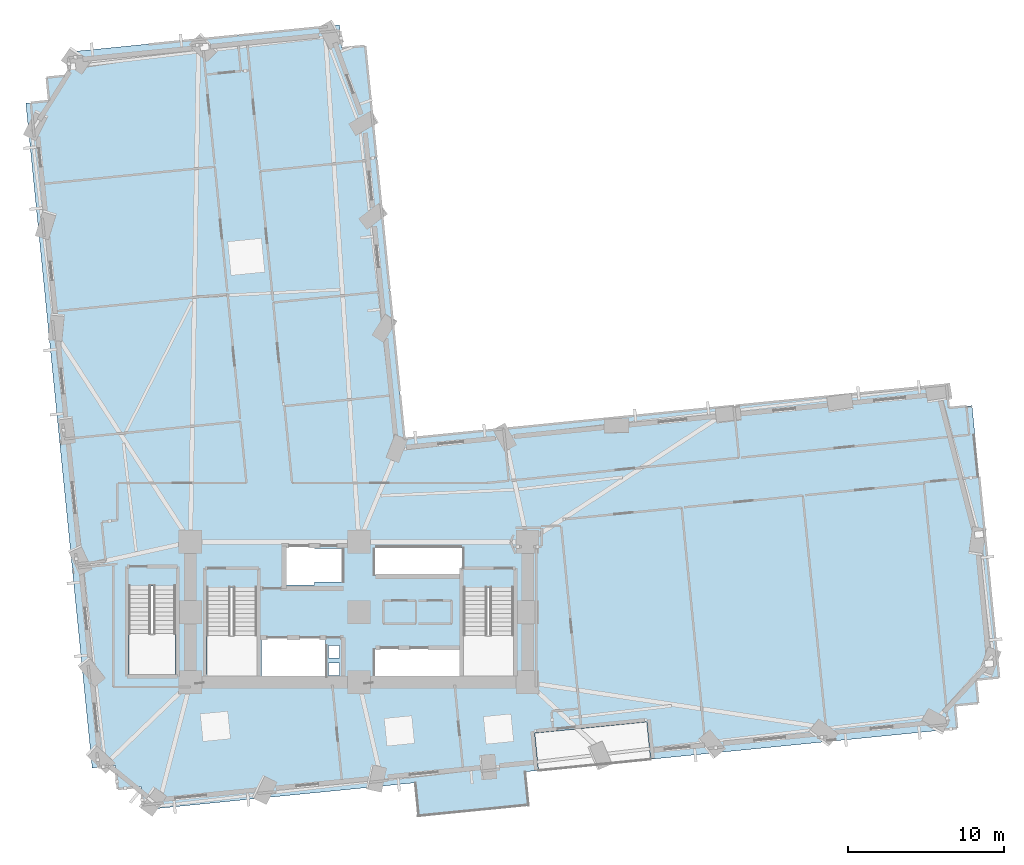
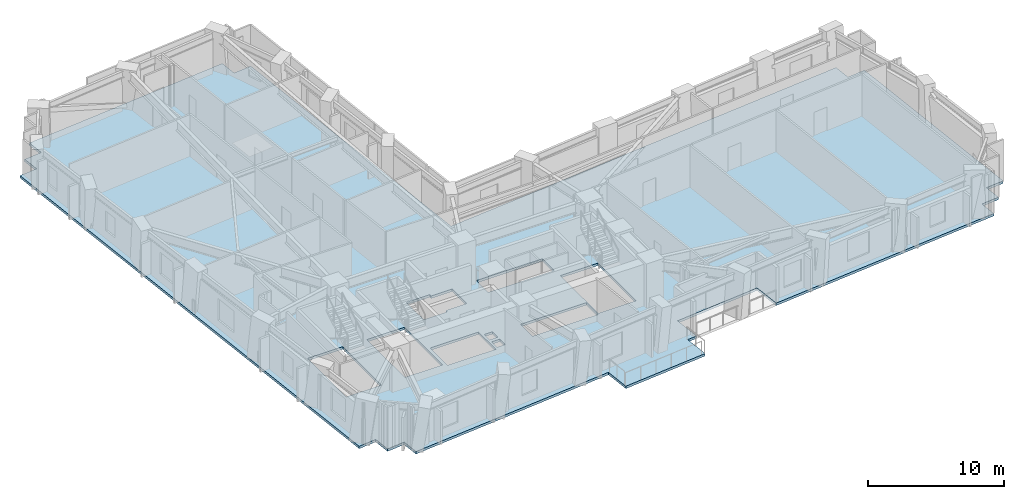
# One storey, part 4 of 16: 1 slab.
"""IFC4 building model written with IfcOpenShell, lengths in metres."""

from ifc_helpers import new_model, si_unit, direction, frame, origin, place, context, subcontext, project, spatial, polyline, outline, extrude, material, layer, layer_set, type_object, element, save


model = new_model("IFC4")

# Units and contexts
model_context = context("Model", 3, precision=1e-05, world=origin(), true_north=direction((0.0, 1.0)))
body_context = subcontext(model_context, "Body", "Model", "MODEL_VIEW")
ifc_project = project(units=[si_unit("LENGTHUNIT", "METRE"), si_unit("AREAUNIT", "SQUARE_METRE"), si_unit("VOLUMEUNIT", "CUBIC_METRE"), si_unit("PLANEANGLEUNIT", "RADIAN"), si_unit("MASSUNIT", "GRAM", prefix="KILO")], contexts=[model_context])

# Site, building, storey
site_placement = place(None, origin())
site = spatial("IfcSite", under=ifc_project, at=site_placement, CompositionType="ELEMENT")
building_placement = place(site_placement, origin())
building = spatial("IfcBuilding", under=site, at=building_placement, Name="Gaonmaruhae Medical Tower", CompositionType="ELEMENT")
storey_placement = place(building_placement, frame((0.0, 0.0, 47.0)))
storey = spatial("IfcBuildingStorey", under=building, at=storey_placement, Name="L10", CompositionType="ELEMENT", Elevation=47.0)

# Slab
ifc_material = material(Name="Concrete C40/50", Category="concrete")
ifc_layer = layer(ifc_material, 0.219970703125)
ifc_layer_set = layer_set([ifc_layer], Name="Concrete C40/50")
slab_type = type_object("IfcSlabType", Name="FS-220 Clinical Ward Composite Floor Slab", PredefinedType="FLOOR", material=ifc_layer_set)
slab_placement = place(storey_placement, frame((0.0, 0.0, -0.219970703125)))
element("IfcSlab", 1, at=slab_placement, inside=storey, type_object=slab_type, Name="L10 Structural Slab 1", PredefinedType="FLOOR", context=body_context, shape_type="SweptSolid", body=[
    extrude(outline(polyline([(10.839111328125, 1.122314453125), (9.346435546875, 0.973388671875), (9.197509765625, 2.4658203125), (7.705078125, 2.31689453125), (3.4541015625, 44.9052734375), (4.94677734375, 45.05419921875), (4.797607421875, 46.546875), (6.290283203125, 46.69580078125), (6.141357421875, 48.1884765625), (23.5546875, 49.926513671875), (23.70361328125, 48.43408203125), (25.1962890625, 48.5830078125), (27.708984375, 23.407958984375), (62.4365234375, 26.874267578125), (62.58544921875, 25.381591796875), (64.078125, 25.53076171875), (65.816162109375, 8.1171875), (64.323486328125, 7.96826171875), (64.47265625, 6.4755859375), (62.97998046875, 6.32666015625), (63.12890625, 4.833984375), (43.4736328125, 2.872314453125), (43.2353515625, 5.260498046875), (36.07080078125, 4.54541015625), (36.309326171875, 2.156982421875), (35.51318359375, 2.07763671875), (35.731689453125, -0.111328125), (28.5673828125, -0.82666015625), (28.348876953125, 1.362548828125), (10.988037109375, -0.370361328125), (10.839111328125, 1.122314453125)]), holes=[polyline([(23.550048828125, 8.25), (22.85009765625, 8.25), (22.85009765625, 9.050048828125), (23.550048828125, 9.050048828125), (23.550048828125, 8.25)]), polyline([(25.824951171875, 9.925048828125), (31.425048828125, 9.925048828125), (31.425048828125, 8.175048828125), (25.824951171875, 8.175048828125), (25.824951171875, 9.925048828125)]), polyline([(22.64990234375, 10.625), (22.64990234375, 8.074951171875), (18.550048828125, 8.074951171875), (18.550048828125, 10.625), (22.64990234375, 10.625)]), polyline([(23.550048828125, 9.35009765625), (22.85009765625, 9.35009765625), (22.85009765625, 10.14990234375), (23.550048828125, 10.14990234375), (23.550048828125, 9.35009765625)]), polyline([(15.050048828125, 13.889892578125), (18.25, 13.889892578125), (18.25, 8.300048828125), (15.050048828125, 8.300048828125), (15.050048828125, 13.889892578125)]), polyline([(31.5, 13.889892578125), (34.699951171875, 13.889892578125), (34.699951171875, 8.300048828125), (31.5, 8.300048828125), (31.5, 13.889892578125)]), polyline([(10.050048828125, 13.989990234375), (13.050048828125, 13.989990234375), (13.050048828125, 8.300048828125), (10.050048828125, 8.300048828125), (10.050048828125, 13.989990234375)]), polyline([(21.949951171875, 14.02490234375), (19.949951171875, 14.02490234375), (19.949951171875, 16.574951171875), (21.949951171875, 16.574951171875), (21.949951171875, 16.375), (23.72509765625, 16.375), (23.72509765625, 14.22509765625), (21.949951171875, 14.22509765625), (21.949951171875, 14.02490234375)]), polyline([(31.425048828125, 16.425048828125), (31.425048828125, 14.675048828125), (25.824951171875, 14.675048828125), (25.824951171875, 16.425048828125), (31.425048828125, 16.425048828125)])]), origin(), (0.0, 0.0, 1.0), 0.219970703125),
])

save(model, "model.ifc")
